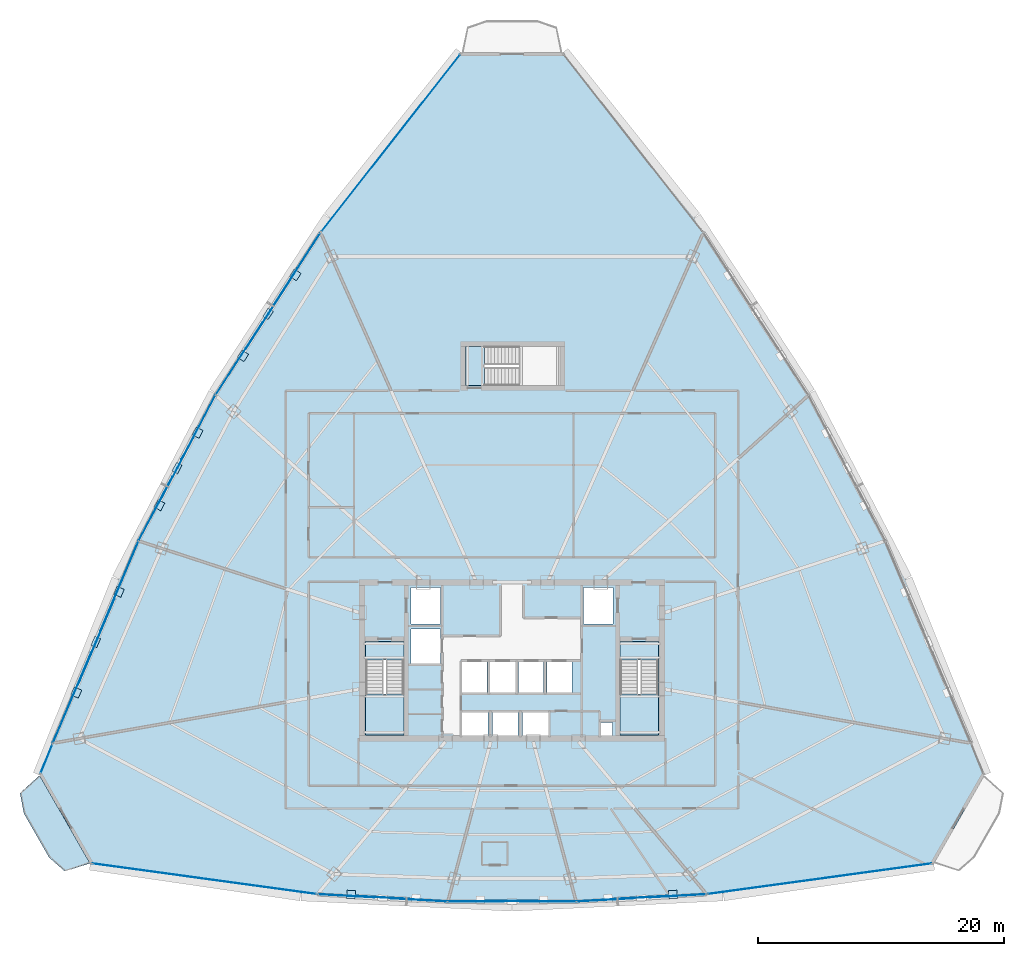
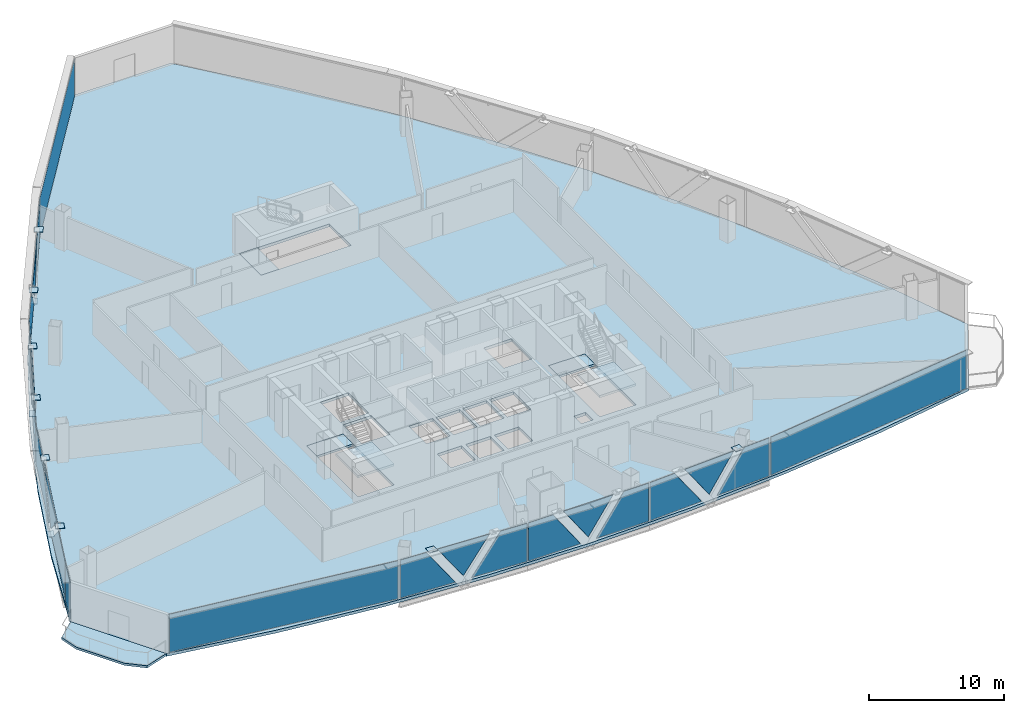
# One storey, part 28 of 37: 33 plates, 7 slabs, 13 elements without a shape of their own.
"""IFC4 building model written with IfcOpenShell, lengths in metres."""

from ifc_helpers import new_model, si_unit, direction, frame, origin, origin_2d, place, context, subcontext, project, spatial, polyline, rectangle, outline, extrude, source, transform, mapped, material, layer, layer_set, type_object, element, aggregate, save


model = new_model("IFC4")

# Units and contexts
model_context = context("Model", 3, precision=1e-05, world=origin(), true_north=direction((0.0, 1.0)))
body_context = subcontext(model_context, "Body", "Model", "MODEL_VIEW")
ifc_project = project(units=[si_unit("LENGTHUNIT", "METRE"), si_unit("AREAUNIT", "SQUARE_METRE"), si_unit("VOLUMEUNIT", "CUBIC_METRE"), si_unit("PLANEANGLEUNIT", "RADIAN"), si_unit("MASSUNIT", "GRAM", prefix="KILO"), si_unit("THERMODYNAMICTEMPERATUREUNIT", "KELVIN"), si_unit("POWERUNIT", "WATT")], contexts=[model_context])

# Site, building, storey
site_placement = place(None, origin())
site = spatial("IfcSite", under=ifc_project, at=site_placement, CompositionType="ELEMENT")
building_placement = place(site_placement, origin())
building = spatial("IfcBuilding", under=site, at=building_placement, Name="Yunzhuo Pagoda Commons", CompositionType="ELEMENT")
storey_placement = place(building_placement, frame((0.0, 0.0, 199.9599609375)))
storey = spatial("IfcBuildingStorey", under=building, at=storey_placement, Name="L50", CompositionType="ELEMENT", Elevation=199.9599609375)

# Curtain wall, plates
ifc_material_1 = material(Name="Anodized aluminium 6063-T6", Category="aluminium")
ifc_layer_1 = layer(ifc_material_1, 0.14990234375)
ifc_layer_set_1 = layer_set([ifc_layer_1], Name="Anodized aluminium 6063-T6")
curtain_wall_type = type_object("IfcCurtainWallType", Name="CW-MID Mid-Zone Ribbon Curtain Wall", PredefinedType="NOTDEFINED", material=ifc_layer_set_1)
curtain_wall_1_placement = place(storey_placement, origin())
curtain_wall_1 = element("IfcCurtainWall", 1, at=curtain_wall_1_placement, inside=storey, type_object=curtain_wall_type, Name="L50 curtain wall CW-L50-F1B2", PredefinedType="NOTDEFINED")
ifc_material_2 = material(Name="Tempered low-e double glazing", Category="glass")
ifc_layer_2 = layer(ifc_material_2, 0.028076171875)
ifc_layer_set_2 = layer_set([ifc_layer_2], Name="Tempered low-e double glazing")
plate_type_1 = type_object("IfcPlateType", Name="CW-MID-P Low-E Double Glazing 28", PredefinedType="CURTAIN_PANEL", material=ifc_layer_set_2)
plate_1_placement = place(storey_placement, frame((34.509033203125, 14.71142578125, 1.77001953125), z_axis=(-0.055982959182, -0.998431724396, 0.0), x_axis=(0.998431724396, -0.055982959182, 0.0)))
plate_1 = element("IfcPlate", 2, at=plate_1_placement, type_object=plate_type_1, Name="CW panel 1.1 lite 1", PredefinedType="CURTAIN_PANEL", context=body_context, shape_type="SweptSolid", body=[
    extrude(outline(polyline([(-2.286865234375, -1.715087890625), (2.28662109375, -1.715087890625), (-0.11328125, 1.715087890625), (-2.286865234375, 1.715087890625), (-2.286865234375, -1.715087890625)])), origin(), (0.0, 0.0, 1.0), 0.028076171875),
])
plate_2_placement = place(storey_placement, frame((37.47705078125, 14.5751953125, 1.94384765625), z_axis=(-0.055982959182, -0.998431724396, 0.0), x_axis=(0.998431724396, -0.055982959182, 0.0)))
plate_2 = element("IfcPlate", 3, at=plate_2_placement, type_object=plate_type_1, Name="CW panel 1.1 lite 2", PredefinedType="CURTAIN_PANEL", context=body_context, shape_type="SweptSolid", body=[
    extrude(outline(polyline([(-2.156494140625, 1.541015625), (0.0, -1.541015625), (2.156494140625, 1.541015625), (-2.156494140625, 1.541015625)])), origin(), (0.0, 0.0, 1.0), 0.028076171875),
])
plate_3_placement = place(storey_placement, frame((40.441650390625, 14.37890625, 1.77001953125), z_axis=(-0.055982959182, -0.998431724396, 0.0), x_axis=(0.998431724396, -0.055982959182, 0.0)))
plate_3 = element("IfcPlate", 4, at=plate_3_placement, type_object=plate_type_1, Name="CW panel 1.1 lite 3", PredefinedType="CURTAIN_PANEL", context=body_context, shape_type="SweptSolid", body=[
    extrude(outline(polyline([(-2.286865234375, -1.715087890625), (2.286865234375, -1.715087890625), (2.286865234375, 1.715087890625), (0.11328125, 1.715087890625), (-2.286865234375, -1.715087890625)])), origin(), (0.0, 0.0, 1.0), 0.028076171875),
])
aggregate(curtain_wall_1, [plate_1, plate_2, plate_3])

curtain_wall_2_placement = place(storey_placement, origin())
curtain_wall_2 = element("IfcCurtainWall", 5, at=curtain_wall_2_placement, inside=storey, type_object=curtain_wall_type, Name="L50 curtain wall CW-L50-F1B3", PredefinedType="NOTDEFINED")
plate_4_placement = place(storey_placement, frame((45.08349609375, 14.24755859375, 1.77001953125), z_axis=(0.0, -1.0, 0.0), x_axis=(1.0, 0.0, 0.0)))
plate_4 = element("IfcPlate", 6, at=plate_4_placement, type_object=plate_type_1, Name="CW panel 1.1 lite 1", PredefinedType="CURTAIN_PANEL", context=body_context, shape_type="SweptSolid", body=[
    extrude(outline(polyline([(-2.239501953125, -1.715087890625), (2.239501953125, -1.715087890625), (-0.114501953125, 1.715087890625), (-2.239501953125, 1.715087890625), (-2.239501953125, -1.715087890625)])), origin(), (0.0, 0.0, 1.0), 0.028076171875),
])
plate_5_placement = place(storey_placement, frame((48.0, 14.27783203125, 1.9482421875), z_axis=(0.0, -1.0, 0.0), x_axis=(1.0, 0.0, 0.0)))
plate_5 = element("IfcPlate", 7, at=plate_5_placement, type_object=plate_type_1, Name="CW panel 1.1 lite 2", PredefinedType="CURTAIN_PANEL", context=body_context, shape_type="SweptSolid", body=[
    extrude(outline(polyline([(-2.109375, 1.53662109375), (0.0, -1.536865234375), (2.109375, 1.53662109375), (-2.109375, 1.53662109375)])), origin(), (0.0, 0.0, 1.0), 0.028076171875),
])
plate_6_placement = place(storey_placement, frame((50.91650390625, 14.24755859375, 1.77001953125), z_axis=(0.0, -1.0, 0.0), x_axis=(1.0, 0.0, 0.0)))
plate_6 = element("IfcPlate", 8, at=plate_6_placement, type_object=plate_type_1, Name="CW panel 1.1 lite 3", PredefinedType="CURTAIN_PANEL", context=body_context, shape_type="SweptSolid", body=[
    extrude(outline(polyline([(-2.239501953125, -1.715087890625), (2.239501953125, -1.715087890625), (2.239501953125, 1.715087890625), (0.114501953125, 1.715087890625), (-2.239501953125, -1.715087890625)])), origin(), (0.0, 0.0, 1.0), 0.028076171875),
])
aggregate(curtain_wall_2, [plate_4, plate_5, plate_6])

curtain_wall_3_placement = place(storey_placement, origin())
curtain_wall_3 = element("IfcCurtainWall", 9, at=curtain_wall_3_placement, inside=storey, type_object=curtain_wall_type, Name="L50 curtain wall CW-L50-F1B4", PredefinedType="NOTDEFINED")
plate_7_placement = place(storey_placement, frame((55.558349609375, 14.37890625, 1.77001953125), z_axis=(0.055982959182, -0.998431724396, 0.0), x_axis=(0.998431724396, 0.055982959182, 0.0)))
plate_7 = element("IfcPlate", 10, at=plate_7_placement, type_object=plate_type_1, Name="CW panel 1.1 lite 1", PredefinedType="CURTAIN_PANEL", context=body_context, shape_type="SweptSolid", body=[
    extrude(outline(polyline([(-2.286865234375, -1.715087890625), (2.286865234375, -1.715087890625), (-0.11328125, 1.715087890625), (-2.286865234375, 1.715087890625), (-2.286865234375, -1.715087890625)])), origin(), (0.0, 0.0, 1.0), 0.028076171875),
])
plate_8_placement = place(storey_placement, frame((58.52294921875, 14.5751953125, 1.94384765625), z_axis=(0.055982959182, -0.998431724396, 0.0), x_axis=(0.998431724396, 0.055982959182, 0.0)))
plate_8 = element("IfcPlate", 11, at=plate_8_placement, type_object=plate_type_1, Name="CW panel 1.1 lite 2", PredefinedType="CURTAIN_PANEL", context=body_context, shape_type="SweptSolid", body=[
    extrude(outline(polyline([(-2.156494140625, 1.541015625), (0.0, -1.541015625), (2.156494140625, 1.541015625), (-2.156494140625, 1.541015625)])), origin(), (0.0, 0.0, 1.0), 0.028076171875),
])
plate_9_placement = place(storey_placement, frame((61.490966796875, 14.71142578125, 1.77001953125), z_axis=(0.055982959182, -0.998431724396, 0.0), x_axis=(0.998431724396, 0.055982959182, 0.0)))
plate_9 = element("IfcPlate", 12, at=plate_9_placement, type_object=plate_type_1, Name="CW panel 1.1 lite 3", PredefinedType="CURTAIN_PANEL", context=body_context, shape_type="SweptSolid", body=[
    extrude(outline(polyline([(-2.28662109375, -1.715087890625), (2.286865234375, -1.715087890625), (2.286865234375, 1.715087890625), (0.11328125, 1.715087890625), (-2.28662109375, -1.715087890625)])), origin(), (0.0, 0.0, 1.0), 0.028076171875),
])
aggregate(curtain_wall_3, [plate_7, plate_8, plate_9])

curtain_wall_4_placement = place(storey_placement, origin())
curtain_wall_4 = element("IfcCurtainWall", 13, at=curtain_wall_4_placement, inside=storey, type_object=curtain_wall_type, Name="L50 curtain wall CW-L50-F3B2", PredefinedType="NOTDEFINED")
plate_10_placement = place(storey_placement, frame((30.527587890625, 65.685302734375, 1.77001953125), z_axis=(-0.839794048542, 0.542905107761, 0.0), x_axis=(-0.542905107761, -0.839794048542, 0.0)))
plate_10 = element("IfcPlate", 14, at=plate_10_placement, type_object=plate_type_1, Name="CW panel 1.1 lite 1", PredefinedType="CURTAIN_PANEL", context=body_context, shape_type="SweptSolid", body=[
    extrude(outline(polyline([(-3.47412109375, -1.715087890625), (3.47412109375, -1.715087890625), (-0.083251953125, 1.715087890625), (-3.47412109375, 1.715087890625), (-3.47412109375, -1.715087890625)])), origin(), (0.0, 0.0, 1.0), 0.028076171875),
])
plate_11_placement = place(storey_placement, frame((28.192138671875, 62.017333984375, 1.87646484375), z_axis=(-0.839794048542, 0.542905107761, 0.0), x_axis=(-0.542905107761, -0.839794048542, 0.0)))
plate_11 = element("IfcPlate", 15, at=plate_11_placement, type_object=plate_type_1, Name="CW panel 1.1 lite 2", PredefinedType="CURTAIN_PANEL", context=body_context, shape_type="SweptSolid", body=[
    extrude(outline(polyline([(-3.336669921875, 1.6083984375), (0.0, -1.608642578125), (3.336669921875, 1.6083984375), (-3.336669921875, 1.6083984375)])), origin(), (0.0, 0.0, 1.0), 0.028076171875),
])
plate_12_placement = place(storey_placement, frame((25.80615234375, 58.3818359375, 1.77001953125), z_axis=(-0.839794048542, 0.542905107761, 0.0), x_axis=(-0.542905107761, -0.839794048542, 0.0)))
plate_12 = element("IfcPlate", 16, at=plate_12_placement, type_object=plate_type_1, Name="CW panel 1.1 lite 3", PredefinedType="CURTAIN_PANEL", context=body_context, shape_type="SweptSolid", body=[
    extrude(outline(polyline([(-3.47412109375, -1.715087890625), (3.47412109375, -1.715087890625), (3.47412109375, 1.715087890625), (0.083251953125, 1.715087890625), (-3.47412109375, -1.715087890625)])), origin(), (0.0, 0.0, 1.0), 0.028076171875),
])
aggregate(curtain_wall_4, [plate_10, plate_11, plate_12])

curtain_wall_5_placement = place(storey_placement, origin())
curtain_wall_5 = element("IfcCurtainWall", 17, at=curtain_wall_5_placement, inside=storey, type_object=curtain_wall_type, Name="L50 curtain wall CW-L50-F3B3", PredefinedType="NOTDEFINED")
plate_13_placement = place(storey_placement, frame((22.494140625, 52.772216796875, 1.77001953125), z_axis=(-0.884483826433, 0.466570852903, 0.0), x_axis=(-0.466570852903, -0.884483826433, 0.0)))
plate_13 = element("IfcPlate", 18, at=plate_13_placement, type_object=plate_type_1, Name="CW panel 1.1 lite 1", PredefinedType="CURTAIN_PANEL", context=body_context, shape_type="SweptSolid", body=[
    extrude(outline(polyline([(-2.927734375, -1.715087890625), (2.927734375, -1.715087890625), (-0.095947265625, 1.715087890625), (-2.927734375, 1.715087890625), (-2.927734375, -1.715087890625)])), origin(), (0.0, 0.0, 1.0), 0.028076171875),
])
plate_14_placement = place(storey_placement, frame((20.788818359375, 49.47509765625, 1.89990234375), z_axis=(-0.884483826433, 0.466570852903, 0.0), x_axis=(-0.466570852903, -0.884483826433, 0.0)))
plate_14 = element("IfcPlate", 19, at=plate_14_placement, type_object=plate_type_1, Name="CW panel 1.1 lite 2", PredefinedType="CURTAIN_PANEL", context=body_context, shape_type="SweptSolid", body=[
    extrude(outline(polyline([(-2.794921875, 1.585205078125), (0.0, -1.585205078125), (2.794921875, 1.585205078125), (-2.794921875, 1.585205078125)])), origin(), (0.0, 0.0, 1.0), 0.028076171875),
])
plate_15_placement = place(storey_placement, frame((19.0302734375, 46.205810546875, 1.77001953125), z_axis=(-0.884483826433, 0.466570852903, 0.0), x_axis=(-0.466570852903, -0.884483826433, 0.0)))
plate_15 = element("IfcPlate", 20, at=plate_15_placement, type_object=plate_type_1, Name="CW panel 1.1 lite 3", PredefinedType="CURTAIN_PANEL", context=body_context, shape_type="SweptSolid", body=[
    extrude(outline(polyline([(-2.927734375, -1.715087890625), (2.927734375, -1.715087890625), (2.927734375, 1.715087890625), (0.095947265625, 1.715087890625), (-2.927734375, -1.715087890625)])), origin(), (0.0, 0.0, 1.0), 0.028076171875),
])
aggregate(curtain_wall_5, [plate_13, plate_14, plate_15])

curtain_wall_6_placement = place(storey_placement, origin())
curtain_wall_6 = element("IfcCurtainWall", 21, at=curtain_wall_6_placement, inside=storey, type_object=curtain_wall_type, Name="L50 curtain wall CW-L50-F3B4", PredefinedType="NOTDEFINED")
plate_16_placement = place(storey_placement, frame((16.067626953125, 39.86328125, 1.77001953125), z_axis=(-0.920666607247, 0.390349840912, 0.0), x_axis=(-0.390349840912, -0.920666607247, 0.0)))
plate_16 = element("IfcPlate", 22, at=plate_16_placement, type_object=plate_type_1, Name="CW panel 1.1 lite 1", PredefinedType="CURTAIN_PANEL", context=body_context, shape_type="SweptSolid", body=[
    extrude(outline(polyline([(-3.9599609375, -1.715087890625), (3.960205078125, -1.715087890625), (-0.073486328125, 1.715087890625), (-3.9599609375, 1.715087890625), (-3.9599609375, -1.715087890625)])), origin(), (0.0, 0.0, 1.0), 0.028076171875),
])
plate_17_placement = place(storey_placement, frame((14.17578125, 35.32470703125, 1.862060546875), z_axis=(-0.920666607247, 0.390349840912, 0.0), x_axis=(-0.390349840912, -0.920666607247, 0.0)))
plate_17 = element("IfcPlate", 23, at=plate_17_placement, type_object=plate_type_1, Name="CW panel 1.1 lite 2", PredefinedType="CURTAIN_PANEL", context=body_context, shape_type="SweptSolid", body=[
    extrude(outline(polyline([(-3.8173828125, 1.623046875), (0.0, -1.623046875), (3.8173828125, 1.623046875), (-3.8173828125, 1.623046875)])), origin(), (0.0, 0.0, 1.0), 0.028076171875),
])
plate_18_placement = place(storey_placement, frame((12.228759765625, 30.809326171875, 1.77001953125), z_axis=(-0.920666607247, 0.390349840912, 0.0), x_axis=(-0.390349840912, -0.920666607247, 0.0)))
plate_18 = element("IfcPlate", 24, at=plate_18_placement, type_object=plate_type_1, Name="CW panel 1.1 lite 3", PredefinedType="CURTAIN_PANEL", context=body_context, shape_type="SweptSolid", body=[
    extrude(outline(polyline([(-3.960205078125, -1.715087890625), (3.9599609375, -1.715087890625), (3.9599609375, 1.715087890625), (0.0732421875, 1.715087890625), (-3.960205078125, -1.715087890625)])), origin(), (0.0, 0.0, 1.0), 0.028076171875),
])
aggregate(curtain_wall_6, [plate_16, plate_17, plate_18])

# Slab
ifc_material_3 = material(Name="Concrete C40", Category="concrete")
ifc_layer_3 = layer(ifc_material_3, 0.199951171875)
ifc_layer_set_3 = layer_set([ifc_layer_3], Name="Concrete C40")
slab_type_1 = type_object("IfcSlabType", Name="SL-BAL Vertex Balcony Deck Slab 200", PredefinedType="FLOOR", material=ifc_layer_set_3)
slab_1_placement = place(storey_placement, frame((0.0, 0.0, -0.199951171875)))
element("IfcSlab", 25, at=slab_1_placement, inside=storey, type_object=slab_type_1, Name="L50 corner balcony V1", PredefinedType="FLOOR", context=body_context, shape_type="SweptSolid", body=[
    extrude(outline(polyline([(9.568359375, 24.48876953125), (13.66845703125, 17.347900390625), (11.62744140625, 16.69482421875), (10.349609375, 17.81591796875), (8.299560546875, 21.386474609375), (7.9755859375, 23.055419921875), (9.568359375, 24.48876953125)])), origin(), (0.0, 0.0, 1.0), 0.199951171875),
])

# Stair, slabs
stair_type_1 = type_object("IfcStairType", Name="ST-C1 Core Smokeproof Stair ST1", PredefinedType="HALF_TURN_STAIR", material=ifc_material_3)
stair_1_placement = place(storey_placement, origin())
stair_1 = element("IfcStair", 26, at=stair_1_placement, inside=storey, type_object=stair_type_1, Name="L50 Core smokeproof stair ST1", PredefinedType="HALF_TURN_STAIR")
ifc_layer_4 = layer(ifc_material_3, 0.199951171875)
ifc_layer_set_4 = layer_set([ifc_layer_4], Name="Concrete C40")
slab_type_2 = type_object("IfcSlabType", Name="SL-LND1 Stair Landing Slab 200", PredefinedType="LANDING", material=ifc_layer_set_4)
slab_2_placement = place(storey_placement, frame((0.0, 0.0, 1.699951171875)))
slab_2 = element("IfcSlab", 27, at=slab_2_placement, type_object=slab_type_2, Name="ST1 landing 1", PredefinedType="LANDING", context=body_context, shape_type="SweptSolid", body=[
    extrude(outline(polyline([(36.10009765625, 31.10009765625), (36.10009765625, 27.800048828125), (39.199951171875, 27.800048828125), (39.199951171875, 31.10009765625), (36.10009765625, 31.10009765625)])), origin(), (0.0, 0.0, 1.0), 0.2001953125),
])
slab_3_placement = place(storey_placement, frame((0.0, 0.0, -0.199951171875)))
slab_3 = element("IfcSlab", 28, at=slab_3_placement, type_object=slab_type_2, Name="ST1 floor landing L50", PredefinedType="LANDING", context=body_context, shape_type="SweptSolid", body=[
    extrude(outline(polyline([(36.10009765625, 35.39990234375), (36.10009765625, 33.89990234375), (39.199951171875, 33.89990234375), (39.199951171875, 35.39990234375), (36.10009765625, 35.39990234375)])), origin(), (0.0, 0.0, 1.0), 0.199951171875),
])
aggregate(stair_1, [slab_2, slab_3])

stair_type_2 = type_object("IfcStairType", Name="ST-C2 Core Smokeproof Stair ST2", PredefinedType="HALF_TURN_STAIR", material=ifc_material_3)
stair_2_placement = place(storey_placement, origin())
stair_2 = element("IfcStair", 29, at=stair_2_placement, inside=storey, type_object=stair_type_2, Name="L50 Core smokeproof stair ST2", PredefinedType="HALF_TURN_STAIR")
ifc_layer_5 = layer(ifc_material_3, 0.201904296875)
ifc_layer_set_5 = layer_set([ifc_layer_5], Name="Concrete C40")
slab_type_3 = type_object("IfcSlabType", Name="SL-LND2 Stair Landing Slab 202", PredefinedType="LANDING", material=ifc_layer_set_5)
slab_4_placement = place(storey_placement, frame((0.0, 0.0, 1.699951171875)))
slab_4 = element("IfcSlab", 30, at=slab_4_placement, type_object=slab_type_3, Name="ST2 landing 1", PredefinedType="LANDING", context=body_context, shape_type="SweptSolid", body=[
    extrude(outline(polyline([(56.800048828125, 31.10009765625), (56.800048828125, 27.800048828125), (59.89990234375, 27.800048828125), (59.89990234375, 31.10009765625), (56.800048828125, 31.10009765625)])), origin(), (0.0, 0.0, 1.0), 0.2001953125),
])
slab_5_placement = place(storey_placement, frame((0.0, 0.0, -0.199951171875)))
slab_5 = element("IfcSlab", 31, at=slab_5_placement, type_object=slab_type_3, Name="ST2 floor landing L50", PredefinedType="LANDING", context=body_context, shape_type="SweptSolid", body=[
    extrude(outline(polyline([(56.800048828125, 35.39990234375), (56.800048828125, 33.89990234375), (59.89990234375, 33.89990234375), (59.89990234375, 35.39990234375), (56.800048828125, 35.39990234375)])), origin(), (0.0, 0.0, 1.0), 0.199951171875),
])
aggregate(stair_2, [slab_4, slab_5])

# Stair, slab
stair_type_3 = type_object("IfcStairType", Name="ST-C3 North Tower Smokeproof Stair ST3", PredefinedType="HALF_TURN_STAIR", material=ifc_material_3)
stair_3_placement = place(storey_placement, origin())
stair_3 = element("IfcStair", 32, at=stair_3_placement, inside=storey, type_object=stair_type_3, Name="L50 North tower smokeproof stair ST3", PredefinedType="HALF_TURN_STAIR")
ifc_layer_6 = layer(ifc_material_3, 0.2041015625)
ifc_layer_set_6 = layer_set([ifc_layer_6], Name="Concrete C40")
slab_type_4 = type_object("IfcSlabType", Name="SL-LND5 North Landing Slab 204", PredefinedType="LANDING", material=ifc_layer_set_6)
slab_6_placement = place(storey_placement, frame((0.0, 0.0, -0.199951171875)))
slab_6 = element("IfcSlab", 33, at=slab_6_placement, type_object=slab_type_4, Name="ST3 floor landing L50", PredefinedType="LANDING", context=body_context, shape_type="SweptSolid", body=[
    extrude(outline(polyline([(44.199951171875, 56.199951171875), (45.75, 56.199951171875), (45.75, 59.39990234375), (44.199951171875, 59.39990234375), (44.199951171875, 56.199951171875)])), origin(), (0.0, 0.0, 1.0), 0.199951171875),
])
aggregate(stair_3, [slab_6])

# Slab
ifc_layer_7 = layer(ifc_material_3, 0.260009765625)
ifc_layer_set_7 = layer_set([ifc_layer_7], Name="Concrete C40")
slab_type_5 = type_object("IfcSlabType", Name="SL-TWR Typical Tower Floor Slab 260", PredefinedType="FLOOR", material=ifc_layer_set_7)
slab_7_placement = place(storey_placement, frame((0.0, 0.0, -0.260009765625)))
element("IfcSlab", 34, at=slab_7_placement, inside=storey, type_object=slab_type_5, Name="L50 structural floor slab", PredefinedType="FLOOR", context=body_context, shape_type="SweptSolid", body=[
    extrude(outline(polyline([(12.601318359375, 32.578857421875), (15.990478515625, 40.455810546875), (19.740478515625, 48.12255859375), (23.85107421875, 55.57861328125), (28.322265625, 62.82421875), (33.154052734375, 69.859130859375), (38.3466796875, 76.68359375), (43.89990234375, 83.297607421875), (52.10009765625, 83.297607421875), (57.6533203125, 76.68359375), (62.845947265625, 69.859130859375), (67.677734375, 62.82421875), (72.14892578125, 55.57861328125), (76.259521484375, 48.12255859375), (80.009521484375, 40.455810546875), (83.398681640625, 32.578857421875), (86.427490234375, 24.4912109375), (82.327392578125, 17.350341796875), (73.74560546875, 15.888671875), (65.16357421875, 14.8447265625), (56.581787109375, 14.21826171875), (48.0, 14.009521484375), (39.418212890625, 14.21826171875), (30.836181640625, 14.8447265625), (22.25439453125, 15.888671875), (13.672607421875, 17.350341796875), (9.572509765625, 24.4912109375), (12.601318359375, 32.578857421875)]), holes=[polyline([(46.050048828125, 29.64990234375), (43.949951171875, 29.64990234375), (43.949951171875, 27.60009765625), (46.050048828125, 27.60009765625), (46.050048828125, 29.64990234375)]), polyline([(48.5, 27.60009765625), (48.5, 29.64990234375), (46.39990234375, 29.64990234375), (46.39990234375, 27.60009765625), (48.5, 27.60009765625)]), polyline([(36.10009765625, 27.800048828125), (39.199951171875, 27.800048828125), (39.199951171875, 35.39990234375), (36.10009765625, 35.39990234375), (36.10009765625, 27.800048828125)]), polyline([(45.969970703125, 31.199951171875), (45.969970703125, 33.800048828125), (43.929931640625, 33.800048828125), (43.929931640625, 31.199951171875), (45.969970703125, 31.199951171875)]), polyline([(48.27001953125, 31.199951171875), (48.27001953125, 33.800048828125), (46.22998046875, 33.800048828125), (46.22998046875, 31.199951171875), (48.27001953125, 31.199951171875)]), polyline([(42.199951171875, 33.60009765625), (42.199951171875, 36.39990234375), (39.800048828125, 36.39990234375), (39.800048828125, 33.60009765625), (42.199951171875, 33.60009765625)]), polyline([(42.199951171875, 36.800048828125), (42.199951171875, 39.800048828125), (39.800048828125, 39.800048828125), (39.800048828125, 36.800048828125), (42.199951171875, 36.800048828125)]), polyline([(56.179931640625, 28.800048828125), (55.179931640625, 28.800048828125), (55.179931640625, 27.699951171875), (56.179931640625, 27.699951171875), (56.179931640625, 28.800048828125)]), polyline([(50.949951171875, 27.60009765625), (50.949951171875, 29.64990234375), (48.85009765625, 29.64990234375), (48.85009765625, 27.60009765625), (50.949951171875, 27.60009765625)]), polyline([(56.800048828125, 27.800048828125), (59.89990234375, 27.800048828125), (59.89990234375, 35.39990234375), (56.800048828125, 35.39990234375), (56.800048828125, 27.800048828125)]), polyline([(50.570068359375, 31.199951171875), (50.570068359375, 33.800048828125), (48.530029296875, 33.800048828125), (48.530029296875, 31.199951171875), (50.570068359375, 31.199951171875)]), polyline([(52.8701171875, 31.199951171875), (52.8701171875, 33.800048828125), (50.830078125, 33.800048828125), (50.830078125, 31.199951171875), (52.8701171875, 31.199951171875)]), polyline([(56.199951171875, 36.800048828125), (56.199951171875, 39.800048828125), (53.800048828125, 39.800048828125), (53.800048828125, 36.800048828125), (56.199951171875, 36.800048828125)]), polyline([(51.89990234375, 56.199951171875), (51.89990234375, 59.39990234375), (44.199951171875, 59.39990234375), (44.199951171875, 56.199951171875), (51.89990234375, 56.199951171875)])]), origin(), (0.0, 0.0, 1.0), 0.260009765625),
])

# Plates
ifc_material_4 = material(Name="Structural steel Q355B", Category="steel")
ifc_layer_8 = layer(ifc_material_4, 0.028076171875)
ifc_layer_set_8 = layer_set([ifc_layer_8], Name="Structural steel Q355B")
plate_type_2 = type_object("IfcPlateType", Name="SP-ND1 Lattice Node Cap Plate 800x500x28", PredefinedType="USERDEFINED", material=ifc_layer_set_8)
shared_shape_1 = source(origin(), body_context, "Body", "SweptSolid", [
    extrude(rectangle(XDim=0.800048828125, YDim=0.5, at=origin_2d()), origin(), (0.0, 0.0, 1.0), 0.028076171875),
])
for number, where, z_axis, x_axis, name in (
    (35, (28.155029296875, 62.041259765625, -0.27392578125), (0.0, 0.0, 1.0), (-0.542910648791, -0.839790466384, 0.0), "L50 diamond node plate F3.1A"),
    (36, (20.749755859375, 49.49560546875, -0.27392578125), (0.0, 0.0, 1.0), (-0.466571896316, -0.884483276025, 0.0), "L50 diamond node plate F3.2A"),
    (37, (14.13525390625, 35.341796875, -0.27392578125), (0.0, 0.0, 1.0), (-0.39034551405, -0.920668441764, 0.0), "L50 diamond node plate F3.3A"),
):
    element("IfcPlate", number, at=place(storey_placement, frame(where, z_axis=z_axis, x_axis=x_axis)), inside=storey, type_object=plate_type_2, Name=name, ObjectType="STIFFENER_PLATE", PredefinedType="USERDEFINED", context=body_context, shape_type="MappedRepresentation", body=[
        mapped(shared_shape_1, transform((0.0, 0.0, 0.0), scale=1.0)),
    ])
shared_shape_2 = source(origin(), body_context, "Body", "SweptSolid", [
    extrude(rectangle(XDim=0.699951171875, YDim=0.672119140625, at=origin_2d()), origin(), (0.0, 0.0, 1.0), 0.035888671875),
])
plate_19_placement = place(storey_placement, frame((12.551513671875, 31.2392578125, 3.501953125), z_axis=(0.0, 0.0, 1.0), x_axis=(-0.39034551405, -0.920668441764, 0.0)))
element("IfcPlate", 38, at=plate_19_placement, inside=storey, type_object=plate_type_2, Name="L50 setback lattice tie plate F3.3R", ObjectType="STIFFENER_PLATE", PredefinedType="USERDEFINED", context=body_context, shape_type="MappedRepresentation", body=[
    mapped(shared_shape_2, transform((0.0, 0.0, 0.0), scale=1.0)),
])
shared_shape_3 = source(origin(), body_context, "Body", "SweptSolid", [
    extrude(rectangle(XDim=0.699951171875, YDim=0.640869140625, at=origin_2d()), origin(), (0.0, 0.0, 1.0), 0.035888671875),
])
plate_20_placement = place(storey_placement, frame((16.022705078125, 39.430419921875, 3.501953125), z_axis=(0.0, 0.0, 1.0), x_axis=(-0.39034551405, -0.920668441764, 0.0)))
element("IfcPlate", 39, at=plate_20_placement, inside=storey, type_object=plate_type_2, Name="L50 setback lattice tie plate F3.3L", ObjectType="STIFFENER_PLATE", PredefinedType="USERDEFINED", context=body_context, shape_type="MappedRepresentation", body=[
    mapped(shared_shape_3, transform((0.0, 0.0, 0.0), scale=1.0)),
])
shared_shape_4 = source(origin(), body_context, "Body", "SweptSolid", [
    extrude(rectangle(XDim=0.699951171875, YDim=0.6611328125, at=origin_2d()), origin(), (0.0, 0.0, 1.0), 0.035888671875),
])
for number, where, z_axis, x_axis, name in (
    (40, (34.90869140625, 14.80810546875, 3.501953125), (0.0, 0.0, 1.0), (0.998431983443, -0.055978339012, 0.0), "L50 setback lattice tie plate F1.1L"),
    (41, (61.09130859375, 14.80810546875, 3.501953125), (0.0, 0.0, 1.0), (0.998431983443, 0.055978339012, 0.0), "L50 setback lattice tie plate F1.3R"),
):
    element("IfcPlate", number, at=place(storey_placement, frame(where, z_axis=z_axis, x_axis=x_axis)), inside=storey, type_object=plate_type_2, Name=name, ObjectType="STIFFENER_PLATE", PredefinedType="USERDEFINED", context=body_context, shape_type="MappedRepresentation", body=[
        mapped(shared_shape_4, transform((0.0, 0.0, 0.0), scale=1.0)),
    ])
shared_shape_5 = source(origin(), body_context, "Body", "SweptSolid", [
    extrude(rectangle(XDim=0.699951171875, YDim=0.62841796875, at=origin_2d()), origin(), (0.0, 0.0, 1.0), 0.035888671875),
])
plate_21_placement = place(storey_placement, frame((19.31396484375, 46.476318359375, 3.501953125), z_axis=(0.0, 0.0, 1.0), x_axis=(-0.466571896316, -0.884483276025, 0.0)))
element("IfcPlate", 42, at=plate_21_placement, inside=storey, type_object=plate_type_2, Name="L50 setback lattice tie plate F3.2R", ObjectType="STIFFENER_PLATE", PredefinedType="USERDEFINED", context=body_context, shape_type="MappedRepresentation", body=[
    mapped(shared_shape_5, transform((0.0, 0.0, 0.0), scale=1.0)),
])
shared_shape_6 = source(origin(), body_context, "Body", "SweptSolid", [
    extrude(rectangle(XDim=0.699951171875, YDim=0.629150390625, at=origin_2d()), origin(), (0.0, 0.0, 1.0), 0.035888671875),
])
plate_22_placement = place(storey_placement, frame((22.425537109375, 52.37646484375, 3.501953125), z_axis=(0.0, 0.0, 1.0), x_axis=(-0.466571896316, -0.884483276025, 0.0)))
element("IfcPlate", 43, at=plate_22_placement, inside=storey, type_object=plate_type_2, Name="L50 setback lattice tie plate F3.2L", ObjectType="STIFFENER_PLATE", PredefinedType="USERDEFINED", context=body_context, shape_type="MappedRepresentation", body=[
    mapped(shared_shape_6, transform((0.0, 0.0, 0.0), scale=1.0)),
])
shared_shape_7 = source(origin(), body_context, "Body", "SweptSolid", [
    extrude(rectangle(XDim=0.699951171875, YDim=0.64013671875, at=origin_2d()), origin(), (0.0, 0.0, 1.0), 0.035888671875),
])
plate_23_placement = place(storey_placement, frame((26.111328125, 58.62255859375, 3.501953125), z_axis=(0.0, 0.0, 1.0), x_axis=(-0.542910648791, -0.839790466384, 0.0)))
element("IfcPlate", 44, at=plate_23_placement, inside=storey, type_object=plate_type_2, Name="L50 setback lattice tie plate F3.1R", ObjectType="STIFFENER_PLATE", PredefinedType="USERDEFINED", context=body_context, shape_type="MappedRepresentation", body=[
    mapped(shared_shape_7, transform((0.0, 0.0, 0.0), scale=1.0)),
])
shared_shape_8 = source(origin(), body_context, "Body", "SweptSolid", [
    extrude(rectangle(XDim=0.699951171875, YDim=0.6630859375, at=origin_2d()), origin(), (0.0, 0.0, 1.0), 0.035888671875),
])
plate_24_placement = place(storey_placement, frame((30.371337890625, 65.214599609375, 3.501953125), z_axis=(0.0, 0.0, 1.0), x_axis=(-0.542910648791, -0.839790466384, 0.0)))
element("IfcPlate", 45, at=plate_24_placement, inside=storey, type_object=plate_type_2, Name="L50 setback lattice tie plate F3.1L", ObjectType="STIFFENER_PLATE", PredefinedType="USERDEFINED", context=body_context, shape_type="MappedRepresentation", body=[
    mapped(shared_shape_8, transform((0.0, 0.0, 0.0), scale=1.0)),
])

# Curtain wall, plate
curtain_wall_7_placement = place(storey_placement, origin())
curtain_wall_7 = element("IfcCurtainWall", 46, at=curtain_wall_7_placement, inside=storey, type_object=curtain_wall_type, Name="L50 curtain wall CW-L50-F1B1", PredefinedType="NOTDEFINED")
shared_shape_9 = source(origin(), body_context, "Body", "SweptSolid", [
    extrude(rectangle(XDim=18.307861328125, YDim=0.028076171875, at=origin_2d()), origin(), (0.0, 0.0, 1.0), 3.429931640625),
])
plate_25_placement = place(storey_placement, frame((22.9619140625, 16.0859375, 0.05517578125), z_axis=(0.0, 0.0, 1.0), x_axis=(0.990803037163, -0.135312015534, 0.0)))
plate_25 = element("IfcPlate", 47, at=plate_25_placement, type_object=plate_type_1, Name="CW panel 1.1", PredefinedType="CURTAIN_PANEL", context=body_context, shape_type="MappedRepresentation", body=[
    mapped(shared_shape_9, transform((0.0, 0.0, 0.0), scale=1.0)),
])
aggregate(curtain_wall_7, [plate_25])

curtain_wall_8_placement = place(storey_placement, origin())
curtain_wall_8 = element("IfcCurtainWall", 48, at=curtain_wall_8_placement, inside=storey, type_object=curtain_wall_type, Name="L50 curtain wall CW-L50-F1B5", PredefinedType="NOTDEFINED")
plate_26_placement = place(storey_placement, frame((73.0380859375, 16.0859375, 0.05517578125), z_axis=(0.0, 0.0, 1.0), x_axis=(0.990803037163, 0.135312015534, 0.0)))
plate_26 = element("IfcPlate", 49, at=plate_26_placement, type_object=plate_type_1, Name="CW panel 1.1", PredefinedType="CURTAIN_PANEL", context=body_context, shape_type="MappedRepresentation", body=[
    mapped(shared_shape_9, transform((0.0, 0.0, 0.0), scale=1.0)),
])
aggregate(curtain_wall_8, [plate_26])

curtain_wall_9_placement = place(storey_placement, origin())
curtain_wall_9 = element("IfcCurtainWall", 50, at=curtain_wall_9_placement, inside=storey, type_object=curtain_wall_type, Name="L50 curtain wall CW-L50-F3B5", PredefinedType="NOTDEFINED")
shared_shape_10 = source(origin(), body_context, "Body", "SweptSolid", [
    extrude(rectangle(XDim=2.477783203125, YDim=0.028076171875, at=origin_2d()), origin(), (0.0, 0.0, 1.0), 3.429931640625),
])
plate_27_placement = place(storey_placement, frame((10.128173828125, 25.84130859375, 0.05517578125), z_axis=(0.0, 0.0, 1.0), x_axis=(-0.377349463967, -0.926070937911, 0.0)))
plate_27 = element("IfcPlate", 51, at=plate_27_placement, type_object=plate_type_1, Name="CW panel 1.1", PredefinedType="CURTAIN_PANEL", context=body_context, shape_type="MappedRepresentation", body=[
    mapped(shared_shape_10, transform((0.0, 0.0, 0.0), scale=1.0)),
])
aggregate(curtain_wall_9, [plate_27])

curtain_wall_10_placement = place(storey_placement, origin())
curtain_wall_10 = element("IfcCurtainWall", 52, at=curtain_wall_10_placement, inside=storey, type_object=curtain_wall_type, Name="L50 curtain wall CW-L50-F3B1", PredefinedType="NOTDEFINED")
shared_shape_11 = source(origin(), body_context, "Body", "SweptSolid", [
    extrude(rectangle(XDim=18.23681640625, YDim=0.028076171875, at=origin_2d()), origin(), (0.0, 0.0, 1.0), 3.429931640625),
])
plate_28_placement = place(storey_placement, frame((38.142822265625, 75.943603515625, 0.05517578125), z_axis=(0.0, 0.0, 1.0), x_axis=(-0.616889324316, -0.787049910454, 0.0)))
plate_28 = element("IfcPlate", 53, at=plate_28_placement, type_object=plate_type_1, Name="CW panel 1.1", PredefinedType="CURTAIN_PANEL", context=body_context, shape_type="MappedRepresentation", body=[
    mapped(shared_shape_11, transform((0.0, 0.0, 0.0), scale=1.0)),
])
aggregate(curtain_wall_10, [plate_28])

save(model, "model.ifc")
